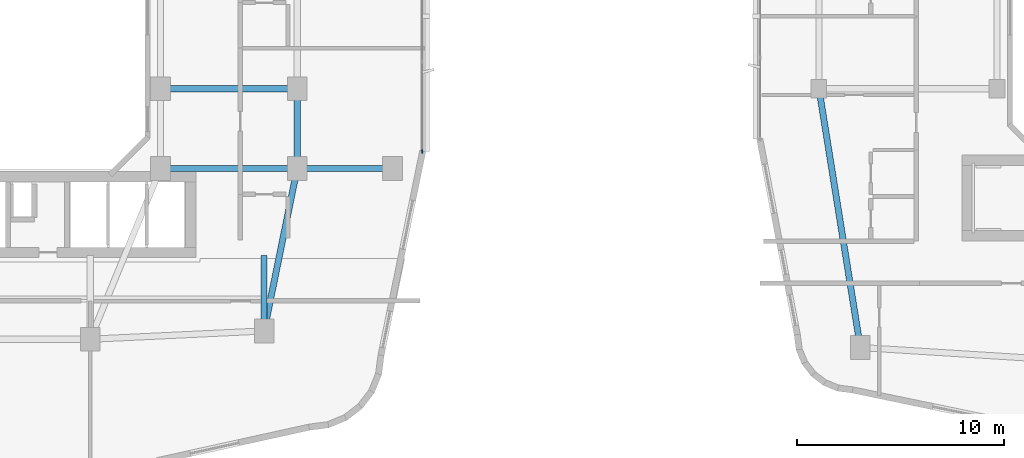
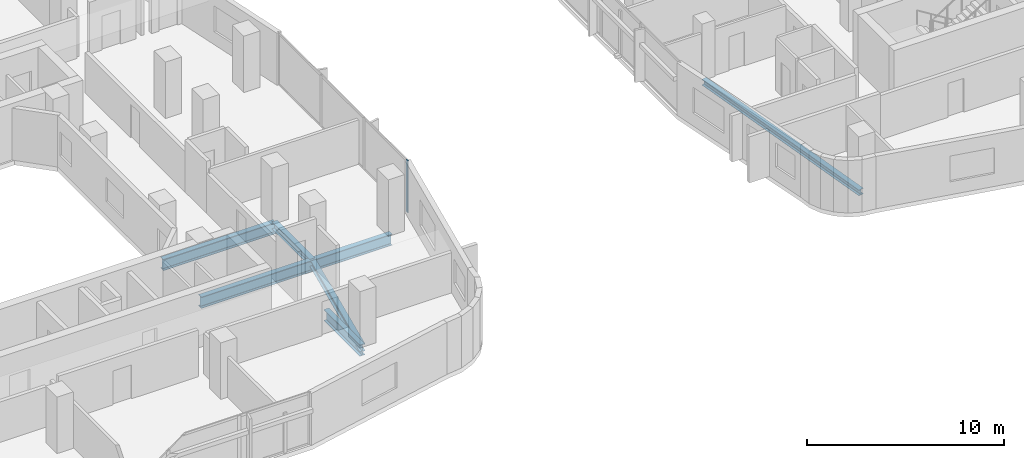
# One storey, part 4 of 26: 7 beams, 1 member, 1 element without a shape of its own.
"""IFC4 building model written with IfcOpenShell, lengths in metres."""

import ifcopenshell
import ifcopenshell.guid

model = None  # the IFC model being written
_history = None  # IfcOwnerHistory: only IFC2X3 demands one
_inside = {}  # id of a spatial element -> (the spatial element, [elements in it])
_under = {}  # id of a project, library or spatial element -> (it, [spatial elements below it])
_declared = {}  # id of a project -> (the project, [libraries it declares])
_typed = {}  # id of a type object -> (the type object, [elements of that type])
_made_of = {}  # id of a material, layer set ... -> (it, [elements and type objects made of it])


def new_model(schema):
    """Start an empty IFC model of exactly this schema.

    Asked for "IFC4X3", IfcOpenShell would pick the latest addendum, in which some entities
    have other attributes; the version numbers below select the first issue.
    IFC2X3 requires an IfcOwnerHistory on every rooted entity: one is made here for all.
    """
    global model, _history
    if schema == "IFC4X3":
        model = ifcopenshell.file(schema_version=(4, 3, 0, 0))
    else:
        model = ifcopenshell.file(schema=schema)
    _inside.clear()
    _under.clear()
    _declared.clear()
    _typed.clear()
    _made_of.clear()
    _history = None
    if model.schema == "IFC2X3":
        org = make("IfcOrganization", Name="unknown")
        user = make(
            "IfcPersonAndOrganization",
            ThePerson=make("IfcPerson", FamilyName="unknown"),
            TheOrganization=org,
        )
        app = make(
            "IfcApplication",
            ApplicationDeveloper=org,
            Version="unknown",
            ApplicationFullName="unknown",
            ApplicationIdentifier="unknown",
        )
        _history = make(
            "IfcOwnerHistory",
            OwningUser=user,
            OwningApplication=app,
            ChangeAction="ADDED",
            CreationDate=0,
        )
    return model


def make(cls, **values):
    """One entity of the class cls with the attributes given. An attribute that is None is left unset."""
    return model.create_entity(
        cls, **{name: value for name, value in values.items() if value is not None}
    )


def rooted(cls, **values):
    """An entity with a GlobalId (a new one), such as an element, a storey or a relation."""
    return make(cls, GlobalId=ifcopenshell.guid.new(), OwnerHistory=_history, **values)


def si_unit(unit_type, name, prefix=None):
    """IfcSIUnit, for example si_unit("LENGTHUNIT", "METRE", prefix="MILLI")."""
    return make("IfcSIUnit", UnitType=unit_type, Prefix=prefix, Name=name)


def derived_unit(unit_type, elements):
    """IfcDerivedUnit: a product of units, each with its exponent."""
    return make(
        "IfcDerivedUnit",
        Elements=[
            make("IfcDerivedUnitElement", Unit=unit, Exponent=power)
            for unit, power in elements
        ],
        UnitType=unit_type,
    )


def assignment(units):
    """IfcUnitAssignment: the units of a project."""
    return None if units is None else make("IfcUnitAssignment", Units=units)


def point(xyz):
    """IfcCartesianPoint."""
    return None if xyz is None else make("IfcCartesianPoint", Coordinates=xyz)


def direction(xyz):
    """IfcDirection."""
    return None if xyz is None else make("IfcDirection", DirectionRatios=xyz)


def frame(location, z_axis=None, x_axis=None):
    """IfcAxis2Placement3D, a coordinate frame: its origin and axes. An axis left out is left unset."""
    return make(
        "IfcAxis2Placement3D",
        Location=point(location),
        Axis=direction(z_axis),
        RefDirection=direction(x_axis),
    )


def frame_2d(location, x_axis=None):
    """IfcAxis2Placement2D, a coordinate frame in the plane: its origin and x axis."""
    return make(
        "IfcAxis2Placement2D", Location=point(location), RefDirection=direction(x_axis)
    )


def origin():
    """The frame at (0, 0, 0) with its axes left unset."""
    return frame((0.0, 0.0, 0.0))


def origin_2d():
    """The frame at (0, 0) in the plane with its x axis left unset."""
    return frame_2d((0.0, 0.0))


def place(relative_to, where):
    """IfcLocalPlacement: puts the frame where relative to a parent placement (None: the world)."""
    return make(
        "IfcLocalPlacement", PlacementRelTo=relative_to, RelativePlacement=where
    )


def context(
    kind, dimensions, precision=None, world=None, true_north=None, identifier=None
):
    """IfcGeometricRepresentationContext, for example the 3D "Model" context."""
    return make(
        "IfcGeometricRepresentationContext",
        ContextIdentifier=identifier,
        ContextType=kind,
        CoordinateSpaceDimension=dimensions,
        Precision=precision,
        WorldCoordinateSystem=world,
        TrueNorth=true_north,
    )


def subcontext(parent, identifier, kind, view, scale=None):
    """IfcGeometricRepresentationSubContext, for example "Body" below "Model"."""
    return make(
        "IfcGeometricRepresentationSubContext",
        ContextIdentifier=identifier,
        ContextType=kind,
        ParentContext=parent,
        TargetScale=scale,
        TargetView=view,
    )


def project(units=None, contexts=None):
    """IfcProject with its units and contexts."""
    return rooted(
        "IfcProject",
        Name="project",
        RepresentationContexts=contexts,
        UnitsInContext=assignment(units),
    )


def spatial(cls, under=None, at=None, **own):
    """A site, building, storey or space (cls), placed at a placement, below another one or the project."""
    s = rooted(cls, ObjectPlacement=at, **own)
    if under is not None:
        _under.setdefault(under.id(), (under, []))[1].append(s)
    return s


def profile(cls, at=None, kind="AREA", **sizes):
    """A parametric profile (cls). Its sizes go by their IFC names, for example OverallWidth=200.0."""
    return make(cls, ProfileType=kind, Position=at, **sizes)


def rectangle(**sizes):
    """IfcRectangleProfileDef."""
    return profile("IfcRectangleProfileDef", **sizes)


def i_section(**sizes):
    """IfcIShapeProfileDef."""
    return profile("IfcIShapeProfileDef", **sizes)


def extrude(swept, where, along, depth):
    """IfcExtrudedAreaSolid: the profile swept, set in the frame where, extruded along a direction by depth."""
    return make(
        "IfcExtrudedAreaSolid",
        SweptArea=swept,
        Position=where,
        ExtrudedDirection=direction(along),
        Depth=depth,
    )


def shape(context_of_items, identifier, shape_type, items):
    """IfcShapeRepresentation: the items that make up one representation, for example the "Body"."""
    return make(
        "IfcShapeRepresentation",
        ContextOfItems=context_of_items,
        RepresentationIdentifier=identifier,
        RepresentationType=shape_type,
        Items=items,
    )


def material(Name=None, Category=None):
    """IfcMaterial."""
    return make("IfcMaterial", Name=Name, Category=Category)


def layer(
    of_material, thickness, ventilated=None, Name=None, Category=None, Priority=None
):
    """IfcMaterialLayer: one layer of a wall or slab, of a material (None: an air gap)."""
    return make(
        "IfcMaterialLayer",
        Material=of_material,
        LayerThickness=thickness,
        IsVentilated=ventilated,
        Name=Name,
        Category=Category,
        Priority=Priority,
    )


def layer_set(layers, Name=None):
    """IfcMaterialLayerSet."""
    return make("IfcMaterialLayerSet", MaterialLayers=layers, LayerSetName=Name)


def material_profile(
    of_material, cross_section, Name=None, Category=None, Priority=None
):
    """IfcMaterialProfile: a cross section and its material."""
    return make(
        "IfcMaterialProfile",
        Name=Name,
        Material=of_material,
        Profile=cross_section,
        Priority=Priority,
        Category=Category,
    )


def profile_set(profiles, Name=None, composite=None):
    """IfcMaterialProfileSet."""
    return make(
        "IfcMaterialProfileSet",
        Name=Name,
        MaterialProfiles=profiles,
        CompositeProfile=composite,
    )


def made_of(thing, what):
    """Note that an element or type object is made of a material, layer set ...; save() writes the relation."""
    if what is not None:
        _made_of.setdefault(what.id(), (what, []))[1].append(thing)
    return thing


def type_object(cls, material=None, **own):
    """A type object (cls), such as IfcWallType, which elements share."""
    return made_of(rooted(cls, **own), material)


def element(
    cls,
    number,
    at=None,
    inside=None,
    cuts=None,
    type_object=None,
    material=None,
    context=None,
    identifier="Body",
    shape_type=None,
    held_by="IfcProductDefinitionShape",
    body=None,
    shapes=None,
    **own,
):
    """One element of the class cls, such as IfcWall. Its Tag is "e" and its number.

    at: its placement. inside: the storey or other place that contains it. cuts: it is an
    opening in that element (IfcRelVoidsElement). A single representation is given by context,
    identifier, shape_type and body (its items); several are given by shapes. held_by: the class
    of the entity that holds the representations. save() writes the other relations.
    """
    e = rooted(cls, Tag="e%d" % number, ObjectPlacement=at, **own)
    if body is not None:
        shapes = [shape(context, identifier, shape_type, body)]
    if shapes is not None:
        e.Representation = make(held_by, Representations=shapes)
    if inside is not None:
        _inside.setdefault(inside.id(), (inside, []))[1].append(e)
    if cuts is not None:
        rooted(
            "IfcRelVoidsElement", RelatingBuildingElement=cuts, RelatedOpeningElement=e
        )
    if type_object is not None:
        _typed.setdefault(type_object.id(), (type_object, []))[1].append(e)
    return made_of(e, material)


def aggregate(whole, parts):
    """IfcRelAggregates: a whole, such as a stair, and the parts it consists of."""
    return rooted("IfcRelAggregates", RelatingObject=whole, RelatedObjects=parts)


def save(model, path):
    """Write the relations noted so far, then the file.

    IfcRelAggregates (storeys below a building ...), IfcRelContainedInSpatialStructure (elements
    in a storey), IfcRelDefinesByType, IfcRelAssociatesMaterial and IfcRelDeclares: one each for
    every whole, place, type object, material and project.
    """
    for whole, parts in _under.values():
        aggregate(whole, parts)
    for where, things in _inside.values():
        rooted(
            "IfcRelContainedInSpatialStructure",
            RelatedElements=things,
            RelatingStructure=where,
        )
    for kind, things in _typed.values():
        rooted("IfcRelDefinesByType", RelatedObjects=things, RelatingType=kind)
    for what, things in _made_of.values():
        rooted("IfcRelAssociatesMaterial", RelatedObjects=things, RelatingMaterial=what)
    for by, libraries in _declared.values():
        rooted("IfcRelDeclares", RelatingContext=by, RelatedDefinitions=libraries)
    model.write(path)


model = new_model("IFC4")

# Units and contexts
model_context = context("Model", 3, precision=1e-05, world=origin(), true_north=direction((0.0, 1.0)))
body_context = subcontext(model_context, "Body", "Model", "MODEL_VIEW")
ifc_project = project(units=[si_unit("LENGTHUNIT", "METRE"), si_unit("AREAUNIT", "SQUARE_METRE"), si_unit("VOLUMEUNIT", "CUBIC_METRE"), si_unit("PLANEANGLEUNIT", "RADIAN"), si_unit("MASSUNIT", "GRAM", prefix="KILO"), derived_unit("THERMALTRANSMITTANCEUNIT", [(si_unit("POWERUNIT", "WATT"), 1), (si_unit("LENGTHUNIT", "METRE"), -2), (si_unit("THERMODYNAMICTEMPERATUREUNIT", "KELVIN"), -1)])], contexts=[model_context])

# Site, building, storey
site_placement = place(None, origin())
site = spatial("IfcSite", under=ifc_project, at=site_placement, CompositionType="ELEMENT")
building_placement = place(site_placement, origin())
building = spatial("IfcBuilding", under=site, at=building_placement, Name="Kivonza Crest Hotel", CompositionType="ELEMENT")
storey_placement = place(building_placement, frame((0.0, 0.0, 66.0)))
storey = spatial("IfcBuildingStorey", under=building, at=storey_placement, Name="L17", CompositionType="ELEMENT", Elevation=66.0)

# Beams
ifc_material_1 = material(Name="Steel S355", Category="steel")
ifc_material_profile_1 = material_profile(ifc_material_1, i_section(OverallWidth=0.300048828125, OverallDepth=0.360107421875, WebThickness=0.012451171875, FlangeThickness=0.0224609375, FilletRadius=0.027099609375, at=origin_2d()), Name="HEB 360")
ifc_profile_set_1 = profile_set([ifc_material_profile_1], Name="Steel S355")
beam_type_1 = type_object("IfcBeamType", Name="BM-HEB360", PredefinedType="SPANDREL", material=ifc_profile_set_1)
beam_1_placement = place(storey_placement, frame((61.0, 21.5, -0.429931640625), z_axis=(0.157990501107, -0.987440631917, 0.0), x_axis=(0.987440631917, 0.157990501107, 0.0)))
element("IfcBeam", 1, at=beam_1_placement, inside=storey, type_object=beam_type_1, Name="Companion Tower T2 L17 perimeter spandrel W1-SW", PredefinedType="SPANDREL", context=body_context, shape_type="SweptSolid", body=[
    extrude(i_section(OverallWidth=0.300048828125, OverallDepth=0.360107421875, WebThickness=0.012451171875, FlangeThickness=0.0224609375, FilletRadius=0.027099609375, at=origin_2d()), origin(), (0.0, 0.0, 1.0), 12.658935546875),
])
ifc_material_profile_2 = material_profile(ifc_material_1, i_section(OverallWidth=0.300048828125, OverallDepth=0.449951171875, WebThickness=0.013916015625, FlangeThickness=0.02587890625, FilletRadius=0.027099609375, at=origin_2d()), Name="HEB 450")
ifc_profile_set_2 = profile_set([ifc_material_profile_2], Name="Steel S355")
beam_type_2 = type_object("IfcBeamType", Name="BM-HEB450", PredefinedType="SPANDREL", material=ifc_profile_set_2)
beam_2_placement = place(storey_placement, frame((34.199951171875, 9.800048828125, -0.5048828125), z_axis=(0.199730733965, 0.979850822273, 0.0), x_axis=(-0.979850822273, 0.199730733965, 0.0)))
element("IfcBeam", 2, at=beam_2_placement, inside=storey, type_object=beam_type_2, Name="Tower T1 L17 perimeter spandrel SE-PSE", PredefinedType="SPANDREL", context=body_context, shape_type="SweptSolid", body=[
    extrude(i_section(OverallWidth=0.300048828125, OverallDepth=0.449951171875, WebThickness=0.013916015625, FlangeThickness=0.02587890625, FilletRadius=0.027099609375, at=origin_2d()), origin(), (0.0, 0.0, 1.0), 8.01123046875),
])
beam_3_placement = place(storey_placement, frame((35.800048828125, 17.64990234375, -0.5048828125), z_axis=(0.0, 1.0, 0.0), x_axis=(-1.0, 0.0, 0.0)))
element("IfcBeam", 3, at=beam_3_placement, inside=storey, type_object=beam_type_2, Name="Tower T1 L17 perimeter spandrel PSE-E1", PredefinedType="SPANDREL", context=body_context, shape_type="SweptSolid", body=[
    extrude(i_section(OverallWidth=0.300048828125, OverallDepth=0.449951171875, WebThickness=0.013916015625, FlangeThickness=0.02587890625, FilletRadius=0.027099609375, at=origin_2d()), origin(), (0.0, 0.0, 1.0), 3.85009765625),
])
ifc_material_profile_3 = material_profile(ifc_material_1, i_section(OverallWidth=0.300048828125, OverallDepth=0.699951171875, WebThickness=0.01708984375, FlangeThickness=0.031982421875, FilletRadius=0.027099609375, at=origin_2d()), Name="HEB 700")
ifc_profile_set_3 = profile_set([ifc_material_profile_3], Name="Steel S355")
beam_type_3 = type_object("IfcBeamType", Name="BM-HEB700", PredefinedType="BEAM", material=ifc_profile_set_3)
for number, where, z_axis, x_axis, name in (
    (4, (29.199951171875, 17.64990234375, -0.6298828125), (1.0, 0.0, 0.0), (0.0, 1.0, 0.0), "Tower T1 L17 primary girder TSE-PSE"),
    (5, (29.199951171875, 21.5, -0.6298828125), (1.0, 0.0, 0.0), (0.0, 1.0, 0.0), "Tower T1 L17 primary girder WR1-E1"),
):
    element("IfcBeam", number, at=place(storey_placement, frame(where, z_axis=z_axis, x_axis=x_axis)), inside=storey, type_object=beam_type_3, Name=name, PredefinedType="BEAM", context=body_context, shape_type="SweptSolid", body=[
        extrude(i_section(OverallWidth=0.300048828125, OverallDepth=0.699951171875, WebThickness=0.01708984375, FlangeThickness=0.031982421875, FilletRadius=0.027099609375, at=origin_2d()), origin(), (0.0, 0.0, 1.0), 6.60009765625),
    ])
beam_4_placement = place(storey_placement, frame((40.39990234375, 17.64990234375, -0.6298828125), z_axis=(-1.0, 0.0, 0.0), x_axis=(0.0, -1.0, 0.0)))
element("IfcBeam", 6, at=beam_4_placement, inside=storey, type_object=beam_type_3, Name="Tower T1 L17 outer bay girder ZE1", PredefinedType="BEAM", context=body_context, shape_type="SweptSolid", body=[
    extrude(i_section(OverallWidth=0.300048828125, OverallDepth=0.699951171875, WebThickness=0.01708984375, FlangeThickness=0.031982421875, FilletRadius=0.027099609375, at=origin_2d()), origin(), (0.0, 0.0, 1.0), 4.599853515625),
])
beam_5_placement = place(storey_placement, frame((34.199951171875, 9.800048828125, -0.6298828125), z_axis=(0.0, 1.0, 0.0), x_axis=(-1.0, 0.0, 0.0)))
element("IfcBeam", 7, at=beam_5_placement, inside=storey, type_object=beam_type_3, Name="Tower T1 L17 radial core girder RSE", PredefinedType="BEAM", context=body_context, shape_type="SweptSolid", body=[
    extrude(i_section(OverallWidth=0.300048828125, OverallDepth=0.699951171875, WebThickness=0.01708984375, FlangeThickness=0.031982421875, FilletRadius=0.027099609375, at=origin_2d()), origin(), (0.0, 0.0, 1.0), 3.64990234375),
])

# Curtain wall, member
ifc_material_2 = material(Name="Anodised bronze aluminium and low-E double glazing", Category="aluminium")
ifc_layer = layer(ifc_material_2, 0.179931640625)
ifc_layer_set = layer_set([ifc_layer], Name="Anodised bronze aluminium and low-E double glazing")
curtain_wall_type = type_object("IfcCurtainWallType", Name="CW-SYS-2", PredefinedType="NOTDEFINED", material=ifc_layer_set)
curtain_wall_placement = place(storey_placement, origin())
curtain_wall = element("IfcCurtainWall", 8, at=curtain_wall_placement, inside=storey, type_object=curtain_wall_type, Name="L17 unitised curtain wall CW-T1-L17-17", PredefinedType="NOTDEFINED")
ifc_material_3 = material(Name="Anodised bronze aluminium", Category="aluminium")
ifc_material_profile_4 = material_profile(ifc_material_3, rectangle(XDim=0.06494140625, YDim=0.179931640625, at=origin_2d()), Name="CW-M 65x180")
ifc_profile_set_4 = profile_set([ifc_material_profile_4], Name="Anodised bronze aluminium")
member_type = type_object("IfcMemberType", Name="CW-MUL-65x180", PredefinedType="MULLION", material=ifc_profile_set_4)
member_placement = place(storey_placement, frame((41.840087890625, 18.472412109375, 0.0), z_axis=(0.0, 0.0, 1.0), x_axis=(-1.0, 0.0, 0.0)))
member = element("IfcMember", 9, at=member_placement, type_object=member_type, Name="CW-2 mullion 1", PredefinedType="MULLION", context=body_context, shape_type="SweptSolid", body=[
    extrude(rectangle(XDim=0.06494140625, YDim=0.179931640625, at=origin_2d()), origin(), (0.0, 0.0, 1.0), 3.219970703125),
])
aggregate(curtain_wall, [member])

save(model, "model.ifc")
